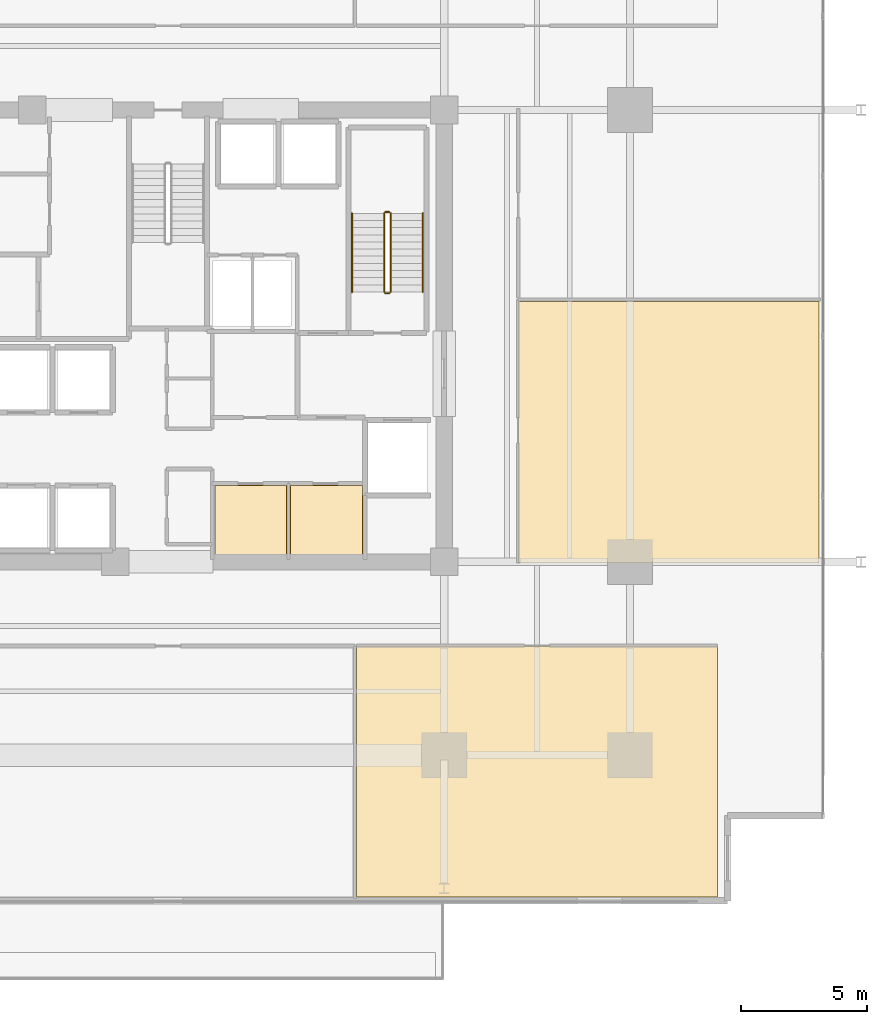
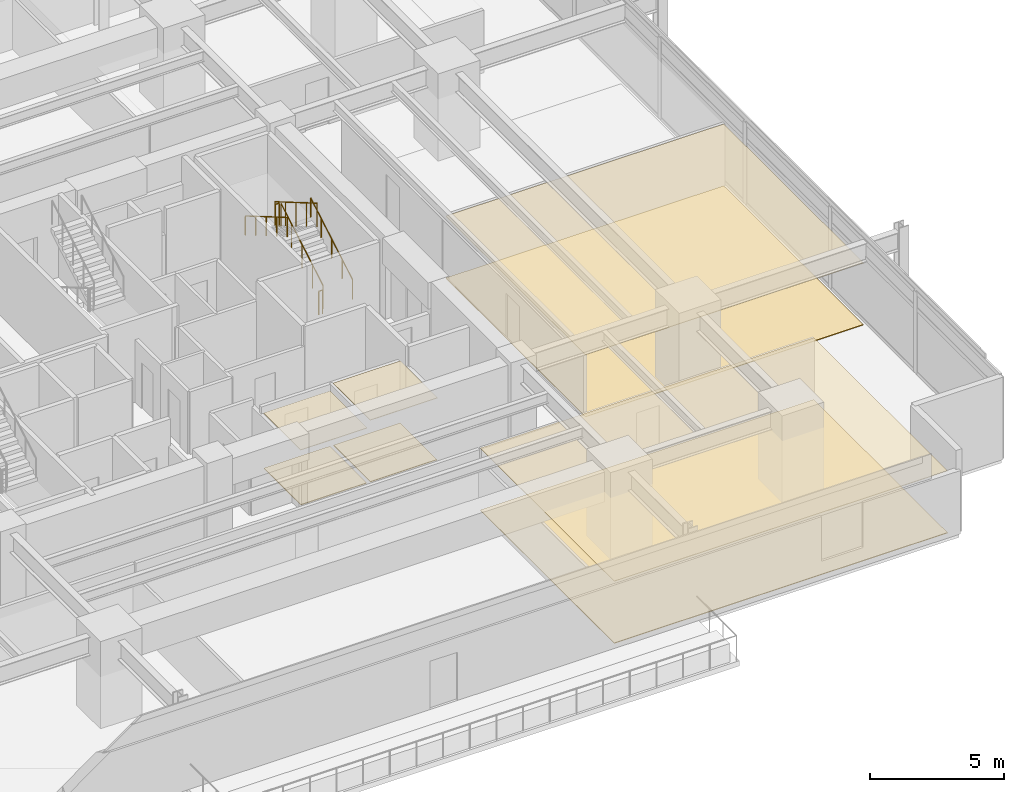
# One storey, part 21 of 22: 8 coverings, 6 railings.
"""IFC4 building model written with IfcOpenShell, lengths in metres."""

from ifc_helpers import new_model, si_unit, direction, frame, origin, origin_2d, place, context, subcontext, project, spatial, polyline, circle, outline, extrude, material, layer, layer_set, type_object, element, save


model = new_model("IFC4")

# Units and contexts
model_context = context("Model", 3, precision=1e-05, world=origin(), true_north=direction((0.0, 1.0)))
body_context = subcontext(model_context, "Body", "Model", "MODEL_VIEW")
ifc_project = project(units=[si_unit("LENGTHUNIT", "METRE"), si_unit("AREAUNIT", "SQUARE_METRE"), si_unit("VOLUMEUNIT", "CUBIC_METRE"), si_unit("PLANEANGLEUNIT", "RADIAN"), si_unit("MASSUNIT", "GRAM", prefix="KILO")], contexts=[model_context])

# Site, building, storey
site_placement = place(None, origin())
site = spatial("IfcSite", under=ifc_project, at=site_placement, CompositionType="ELEMENT")
building_placement = place(site_placement, origin())
building = spatial("IfcBuilding", under=site, at=building_placement, Name="Kovane Verandah Tower", CompositionType="ELEMENT")
storey_placement = place(building_placement, frame((0.0, 0.0, 71.60009765625)))
storey = spatial("IfcBuildingStorey", under=building, at=storey_placement, Name="L16", CompositionType="ELEMENT", Elevation=71.60009765625)

# Coverings
ifc_material_1 = material(Name="Perforated Acoustic Mineral-Fibre Ceiling Tile", Category="gypsum")
ifc_layer_1 = layer(ifc_material_1, 0.02490234375)
ifc_layer_set_1 = layer_set([ifc_layer_1], Name="Perforated Acoustic Mineral-Fibre Ceiling Tile")
covering_type_1 = type_object("IfcCoveringType", Name="CV-CEIL-25", PredefinedType="CEILING", material=ifc_layer_set_1)
covering_1_placement = place(storey_placement, frame((0.0, 0.0, 2.514892578125)))
element("IfcCovering", 1, at=covering_1_placement, inside=storey, type_object=covering_type_1, Name="L16 AV Control Room Acoustic Ceiling", PredefinedType="CEILING", context=body_context, shape_type="SweptSolid", body=[
    extrude(outline(polyline([(41.864990234375, 18.784912109375), (44.735107421875, 18.784912109375), (44.735107421875, 21.56494140625), (41.864990234375, 21.56494140625), (41.864990234375, 18.784912109375)])), origin(), (0.0, 0.0, 1.0), 0.02490234375),
])
covering_2_placement = place(storey_placement, frame((0.0, 0.0, 2.824951171875)))
element("IfcCovering", 2, at=covering_2_placement, inside=storey, type_object=covering_type_1, Name="L16 East IT Server Room Acoustic Ceiling", PredefinedType="CEILING", context=body_context, shape_type="SweptSolid", body=[
    extrude(outline(polyline([(44.864990234375, 18.784912109375), (47.764892578125, 18.784912109375), (47.764892578125, 21.56494140625), (44.864990234375, 21.56494140625), (44.864990234375, 18.784912109375)])), origin(), (0.0, 0.0, 1.0), 0.02490234375),
])
covering_3_placement = place(storey_placement, frame((0.0, 0.0, 2.824951171875)))
element("IfcCovering", 3, at=covering_3_placement, inside=storey, type_object=covering_type_1, Name="L16 Open Plan Office S3 Acoustic Ceiling", PredefinedType="CEILING", context=body_context, shape_type="SweptSolid", body=[
    extrude(outline(polyline([(47.511474609375, 5.1494140625), (61.886474609375, 5.1494140625), (61.886474609375, 15.14990234375), (47.511474609375, 15.14990234375), (47.511474609375, 5.1494140625)])), origin(), (0.0, 0.0, 1.0), 0.02490234375),
])
covering_4_placement = place(storey_placement, frame((0.0, 0.0, 2.824951171875)))
element("IfcCovering", 4, at=covering_4_placement, inside=storey, type_object=covering_type_1, Name="L16 Meeting Room E1 Acoustic Ceiling", PredefinedType="CEILING", context=body_context, shape_type="SweptSolid", body=[
    extrude(outline(polyline([(53.949951171875, 18.449951171875), (65.936279296875, 18.449951171875), (65.936279296875, 28.8779296875), (53.949951171875, 28.8779296875), (53.949951171875, 18.449951171875)])), origin(), (0.0, 0.0, 1.0), 0.02490234375),
])
ifc_material_2 = material(Name="Polished Terrazzo and Raised-Access Carpet Tile Finish", Category="concrete")
ifc_layer_2 = layer(ifc_material_2, 0.030029296875)
ifc_layer_set_2 = layer_set([ifc_layer_2], Name="Polished Terrazzo and Raised-Access Carpet Tile Finish")
covering_type_2 = type_object("IfcCoveringType", Name="CV-FLOR-30", PredefinedType="FLOORING", material=ifc_layer_set_2)
covering_5_placement = place(storey_placement, origin())
element("IfcCovering", 5, at=covering_5_placement, inside=storey, type_object=covering_type_2, Name="L16 AV Control Room Floor Finish", PredefinedType="FLOORING", context=body_context, shape_type="SweptSolid", body=[
    extrude(outline(polyline([(41.8798828125, 18.800048828125), (44.719970703125, 18.800048828125), (44.719970703125, 21.550048828125), (41.8798828125, 21.550048828125), (41.8798828125, 18.800048828125)])), origin(), (0.0, 0.0, 1.0), 0.02978515625),
])
covering_6_placement = place(storey_placement, origin())
element("IfcCovering", 6, at=covering_6_placement, inside=storey, type_object=covering_type_2, Name="L16 East IT Server Room Floor Finish", PredefinedType="FLOORING", context=body_context, shape_type="SweptSolid", body=[
    extrude(outline(polyline([(44.8798828125, 18.800048828125), (47.75, 18.800048828125), (47.75, 21.550048828125), (44.8798828125, 21.550048828125), (44.8798828125, 18.800048828125)])), origin(), (0.0, 0.0, 1.0), 0.02978515625),
])
covering_7_placement = place(storey_placement, origin())
element("IfcCovering", 7, at=covering_7_placement, inside=storey, type_object=covering_type_2, Name="L16 Open Plan Office S3 Floor Finish", PredefinedType="FLOORING", context=body_context, shape_type="SweptSolid", body=[
    extrude(outline(polyline([(47.511474609375, 5.1494140625), (61.886474609375, 5.1494140625), (61.886474609375, 15.14990234375), (47.511474609375, 15.14990234375), (47.511474609375, 5.1494140625)])), origin(), (0.0, 0.0, 1.0), 0.02978515625),
])
covering_8_placement = place(storey_placement, origin())
element("IfcCovering", 8, at=covering_8_placement, inside=storey, type_object=covering_type_2, Name="L16 Meeting Room E1 Floor Finish", PredefinedType="FLOORING", context=body_context, shape_type="SweptSolid", body=[
    extrude(outline(polyline([(53.949951171875, 18.449951171875), (65.936279296875, 18.449951171875), (65.936279296875, 28.8779296875), (53.949951171875, 28.8779296875), (53.949951171875, 18.449951171875)])), origin(), (0.0, 0.0, 1.0), 0.02978515625),
])

# Railings
ifc_material_3 = material(Name="Brushed Stainless Steel Handrail", Category="steel")
railing_type_1 = type_object("IfcRailingType", Name="RL-HAND-920", PredefinedType="HANDRAIL", material=ifc_material_3)
railing_1_placement = place(storey_placement, frame((50.14990234375, 29.25, 0.16650390625)))
element("IfcRailing", 9, at=railing_1_placement, inside=storey, type_object=railing_type_1, Name="L16 ST-02 stair handrail 1", PredefinedType="HANDRAIL", context=body_context, shape_type="SweptSolid", body=[
    extrude(circle(Radius=0.02392578125, at=origin_2d()), frame((0.0, 0.0, 0.8759765625), z_axis=(0.0, 0.863210265497, 0.504844567704), x_axis=(-1.0, 0.0, 0.0)), (0.0, 0.0, 1.0), 3.6318359375),
    extrude(circle(Radius=0.02099609375, at=origin_2d()), origin(), (0.0, 0.0, 1.0), 0.851806640625),
    extrude(circle(Radius=0.02099609375, at=origin_2d()), frame((0.0, 0.78369140625, 0.45849609375)), (0.0, 0.0, 1.0), 0.851806640625),
    extrude(circle(Radius=0.02099609375, at=origin_2d()), frame((0.0, 1.5673828125, 0.916748046875)), (0.0, 0.0, 1.0), 0.851806640625),
    extrude(circle(Radius=0.02099609375, at=origin_2d()), frame((0.0, 2.351318359375, 1.375)), (0.0, 0.0, 1.0), 0.851806640625),
    extrude(circle(Radius=0.02099609375, at=origin_2d()), frame((0.0, 3.135009765625, 1.83349609375)), (0.0, 0.0, 1.0), 0.851806640625),
])
railing_2_placement = place(storey_placement, frame((47.330078125, 32.385009765625, 2.16650390625)))
element("IfcRailing", 10, at=railing_2_placement, inside=storey, type_object=railing_type_1, Name="L16 ST-02 stair handrail 2", PredefinedType="HANDRAIL", context=body_context, shape_type="SweptSolid", body=[
    extrude(circle(Radius=0.02392578125, at=origin_2d()), frame((0.0, 0.0, 0.8759765625), z_axis=(0.0, -0.863210265497, 0.504844567704), x_axis=(1.0, 0.0, 0.0)), (0.0, 0.0, 1.0), 3.6318359375),
    extrude(circle(Radius=0.02099609375, at=origin_2d()), origin(), (0.0, 0.0, 1.0), 0.851806640625),
    extrude(circle(Radius=0.02099609375, at=origin_2d()), frame((0.0, -0.78369140625, 0.45849609375)), (0.0, 0.0, 1.0), 0.851806640625),
    extrude(circle(Radius=0.02099609375, at=origin_2d()), frame((0.0, -1.5673828125, 0.916748046875)), (0.0, 0.0, 1.0), 0.851806640625),
    extrude(circle(Radius=0.02099609375, at=origin_2d()), frame((0.0, -2.351318359375, 1.375)), (0.0, 0.0, 1.0), 0.851806640625),
    extrude(circle(Radius=0.02099609375, at=origin_2d()), frame((0.0, -3.135009765625, 1.83349609375)), (0.0, 0.0, 1.0), 0.851806640625),
])
ifc_material_4 = material(Name="Painted Steel Stairwell Guardrail", Category="steel")
railing_type_2 = type_object("IfcRailingType", Name="RL-STGUARD-1120", PredefinedType="GUARDRAIL", material=ifc_material_4)
railing_3_placement = place(storey_placement, frame((48.8701171875, 29.25, 0.16650390625)))
element("IfcRailing", 11, at=railing_3_placement, inside=storey, type_object=railing_type_2, Name="L16 ST-02 stair guard 1", PredefinedType="GUARDRAIL", context=body_context, shape_type="SweptSolid", body=[
    extrude(circle(Radius=0.02392578125, at=origin_2d()), frame((0.0, 0.0, 1.076171875), z_axis=(0.0, 0.863210265497, 0.504844567704), x_axis=(-1.0, 0.0, 0.0)), (0.0, 0.0, 1.0), 3.6318359375),
    extrude(circle(Radius=0.02099609375, at=origin_2d()), origin(), (0.0, 0.0, 1.0), 1.052001953125),
    extrude(circle(Radius=0.02099609375, at=origin_2d()), frame((0.0, 0.78369140625, 0.45849609375)), (0.0, 0.0, 1.0), 1.052001953125),
    extrude(circle(Radius=0.02099609375, at=origin_2d()), frame((0.0, 1.5673828125, 0.916748046875)), (0.0, 0.0, 1.0), 1.052001953125),
    extrude(circle(Radius=0.02099609375, at=origin_2d()), frame((0.0, 2.351318359375, 1.375)), (0.0, 0.0, 1.0), 1.052001953125),
    extrude(circle(Radius=0.02099609375, at=origin_2d()), frame((0.0, 3.135009765625, 1.83349609375)), (0.0, 0.0, 1.0), 1.052001953125),
])
railing_4_placement = place(storey_placement, frame((48.820068359375, 32.43505859375, 2.0)))
element("IfcRailing", 12, at=railing_4_placement, inside=storey, type_object=railing_type_2, Name="L16 ST-02 stair guard 2", PredefinedType="GUARDRAIL", context=body_context, shape_type="SweptSolid", body=[
    extrude(circle(Radius=0.02392578125, at=origin_2d()), frame((0.0, 0.0, 1.076171875), z_axis=(-1.0, 0.0, 0.0), x_axis=(0.0, -1.0, 0.0)), (0.0, 0.0, 1.0), 0.16015625),
    extrude(circle(Radius=0.02099609375, at=origin_2d()), origin(), (0.0, 0.0, 1.0), 1.052001953125),
    extrude(circle(Radius=0.02099609375, at=origin_2d()), frame((-0.16015625, 0.0, 0.0)), (0.0, 0.0, 1.0), 1.052001953125),
])
railing_5_placement = place(storey_placement, frame((48.610107421875, 32.385009765625, 2.16650390625)))
element("IfcRailing", 13, at=railing_5_placement, inside=storey, type_object=railing_type_2, Name="L16 ST-02 stair guard 3", PredefinedType="GUARDRAIL", context=body_context, shape_type="SweptSolid", body=[
    extrude(circle(Radius=0.02392578125, at=origin_2d()), frame((0.0, 0.0, 1.076171875), z_axis=(0.0, -0.863210265497, 0.504844567704), x_axis=(1.0, 0.0, 0.0)), (0.0, 0.0, 1.0), 3.6318359375),
    extrude(circle(Radius=0.02099609375, at=origin_2d()), origin(), (0.0, 0.0, 1.0), 1.052001953125),
    extrude(circle(Radius=0.02099609375, at=origin_2d()), frame((0.0, -0.78369140625, 0.45849609375)), (0.0, 0.0, 1.0), 1.052001953125),
    extrude(circle(Radius=0.02099609375, at=origin_2d()), frame((0.0, -1.5673828125, 0.916748046875)), (0.0, 0.0, 1.0), 1.052001953125),
    extrude(circle(Radius=0.02099609375, at=origin_2d()), frame((0.0, -2.351318359375, 1.375)), (0.0, 0.0, 1.0), 1.052001953125),
    extrude(circle(Radius=0.02099609375, at=origin_2d()), frame((0.0, -3.135009765625, 1.83349609375)), (0.0, 0.0, 1.0), 1.052001953125),
])
railing_6_placement = place(storey_placement, frame((48.820068359375, 29.199951171875, 0.0)))
element("IfcRailing", 14, at=railing_6_placement, inside=storey, type_object=railing_type_2, Name="L16 ST-02 stair guard 4", PredefinedType="GUARDRAIL", context=body_context, shape_type="SweptSolid", body=[
    extrude(circle(Radius=0.02392578125, at=origin_2d()), frame((0.0, 0.0, 1.076171875), z_axis=(-1.0, 0.0, 0.0), x_axis=(0.0, -1.0, 0.0)), (0.0, 0.0, 1.0), 0.16015625),
    extrude(circle(Radius=0.02099609375, at=origin_2d()), origin(), (0.0, 0.0, 1.0), 1.052001953125),
    extrude(circle(Radius=0.02099609375, at=origin_2d()), frame((-0.16015625, 0.0, 0.0)), (0.0, 0.0, 1.0), 1.052001953125),
])

save(model, "model.ifc")
